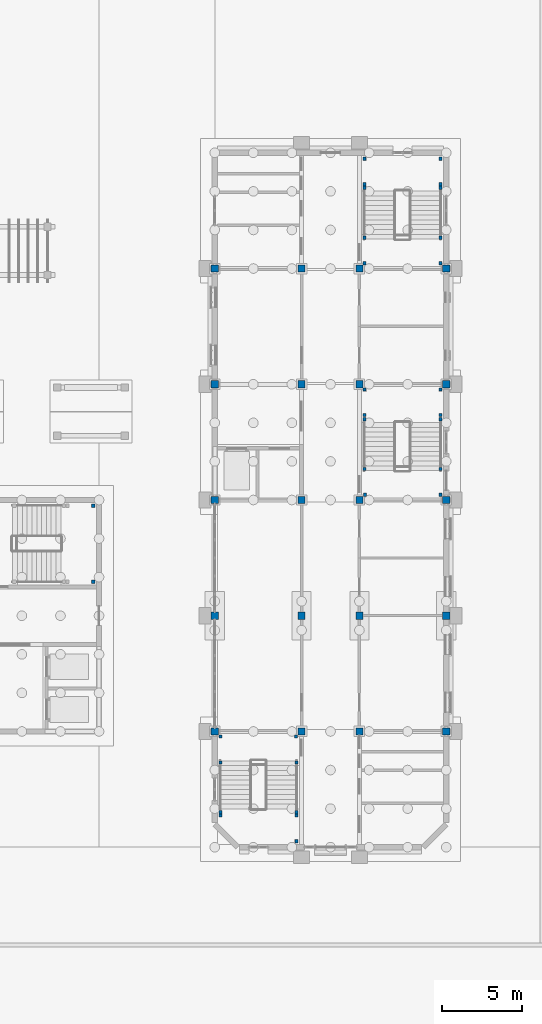
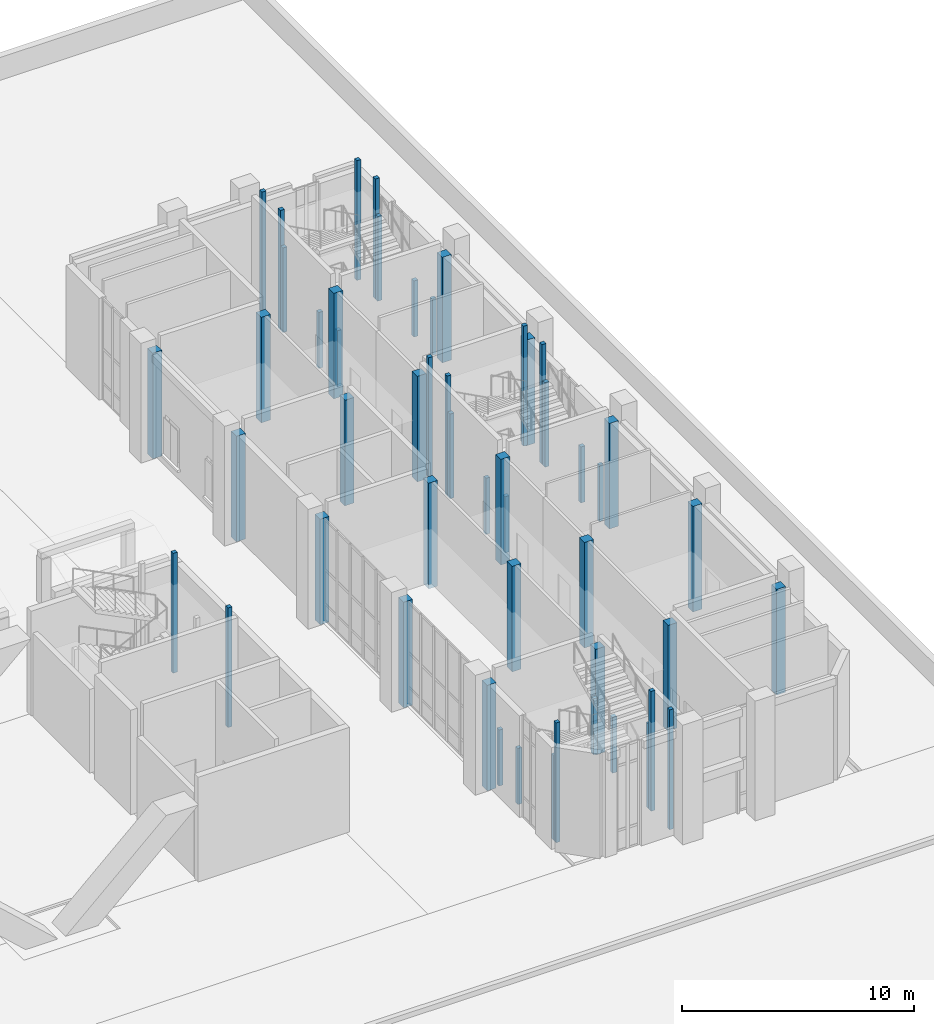
# One storey, part 7 of 84: 51 columns.
"""IFC4 building model written with IfcOpenShell, lengths in metres."""

from ifc_helpers import new_model, si_unit, direction, frame, origin, origin_2d, place, context, subcontext, project, spatial, rectangle, extrude, material, material_profile, profile_set, type_object, element, save


model = new_model("IFC4")

# Units and contexts
model_context = context("Model", 3, precision=1e-05, world=origin(), true_north=direction((0.0, 1.0)))
body_context = subcontext(model_context, "Body", "Model", "MODEL_VIEW")
ifc_project = project(units=[si_unit("LENGTHUNIT", "METRE"), si_unit("AREAUNIT", "SQUARE_METRE"), si_unit("VOLUMEUNIT", "CUBIC_METRE"), si_unit("PLANEANGLEUNIT", "RADIAN"), si_unit("MASSUNIT", "GRAM", prefix="KILO")], contexts=[model_context])

# Site, building, storey
site_placement = place(None, origin())
site = spatial("IfcSite", under=ifc_project, at=site_placement, CompositionType="ELEMENT")
building_placement = place(site_placement, origin())
building = spatial("IfcBuilding", under=site, at=building_placement, Name="Mazhai Court Health Centre", CompositionType="ELEMENT")
storey_placement = place(building_placement, origin())
storey = spatial("IfcBuildingStorey", under=building, at=storey_placement, Name="L00", CompositionType="ELEMENT", Elevation=0.0)

# Columns
ifc_material_1 = material(Name="Concrete M40", Category="concrete")
ifc_material_profile_1 = material_profile(ifc_material_1, rectangle(XDim=0.449951171875, YDim=0.449951171875, at=origin_2d()), Name="RC 450x450")
ifc_profile_set_1 = profile_set([ifc_material_profile_1], Name="Concrete M40")
column_type_1 = type_object("IfcColumnType", Name="RC COLUMN 450x450 M40", PredefinedType="COLUMN", material=ifc_profile_set_1)
for number, where, z_axis, x_axis, name in (
    (1, (135.800048828125, 13.39990234375, -0.199951171875), (0.0, 0.0, 1.0), (1.0, 0.0, 0.0), "col-V6-L00-135.8-13.4"),
    (2, (135.800048828125, 20.60009765625, -0.199951171875), (0.0, 0.0, 1.0), (1.0, 0.0, 0.0), "col-V6-L00-135.8-20.6"),
    (3, (135.800048828125, 27.800048828125, -0.199951171875), (0.0, 0.0, 1.0), (1.0, 0.0, 0.0), "col-V6-L00-135.8-27.8"),
    (4, (135.800048828125, 35.0, -0.199951171875), (0.0, 0.0, 1.0), (1.0, 0.0, 0.0), "col-V6-L00-135.8-35"),
    (5, (135.800048828125, 42.199951171875, -0.199951171875), (0.0, 0.0, 1.0), (1.0, 0.0, 0.0), "col-V6-L00-135.8-42.2"),
    (6, (141.199951171875, 13.39990234375, -0.199951171875), (0.0, 0.0, 1.0), (1.0, 0.0, 0.0), "col-V6-L00-141.2-13.4"),
    (7, (141.199951171875, 20.60009765625, -0.199951171875), (0.0, 0.0, 1.0), (1.0, 0.0, 0.0), "col-V6-L00-141.2-20.6"),
    (8, (141.199951171875, 27.800048828125, -0.199951171875), (0.0, 0.0, 1.0), (1.0, 0.0, 0.0), "col-V6-L00-141.2-27.8"),
    (9, (141.199951171875, 35.0, -0.199951171875), (0.0, 0.0, 1.0), (1.0, 0.0, 0.0), "col-V6-L00-141.2-35"),
    (10, (141.199951171875, 42.199951171875, -0.199951171875), (0.0, 0.0, 1.0), (1.0, 0.0, 0.0), "col-V6-L00-141.2-42.2"),
    (11, (144.800048828125, 13.39990234375, -0.199951171875), (0.0, 0.0, 1.0), (1.0, 0.0, 0.0), "col-V6-L00-144.8-13.4"),
    (12, (144.800048828125, 20.60009765625, -0.199951171875), (0.0, 0.0, 1.0), (1.0, 0.0, 0.0), "col-V6-L00-144.8-20.6"),
    (13, (144.800048828125, 27.800048828125, -0.199951171875), (0.0, 0.0, 1.0), (1.0, 0.0, 0.0), "col-V6-L00-144.8-27.8"),
    (14, (144.800048828125, 35.0, -0.199951171875), (0.0, 0.0, 1.0), (1.0, 0.0, 0.0), "col-V6-L00-144.8-35"),
    (15, (144.800048828125, 42.199951171875, -0.199951171875), (0.0, 0.0, 1.0), (1.0, 0.0, 0.0), "col-V6-L00-144.8-42.2"),
    (16, (150.199951171875, 13.39990234375, -0.199951171875), (0.0, 0.0, 1.0), (1.0, 0.0, 0.0), "col-V6-L00-150.2-13.4"),
    (17, (150.199951171875, 20.60009765625, -0.199951171875), (0.0, 0.0, 1.0), (1.0, 0.0, 0.0), "col-V6-L00-150.2-20.6"),
    (18, (150.199951171875, 27.800048828125, -0.199951171875), (0.0, 0.0, 1.0), (1.0, 0.0, 0.0), "col-V6-L00-150.2-27.8"),
    (19, (150.199951171875, 35.0, -0.199951171875), (0.0, 0.0, 1.0), (1.0, 0.0, 0.0), "col-V6-L00-150.2-35"),
    (20, (150.199951171875, 42.199951171875, -0.199951171875), (0.0, 0.0, 1.0), (1.0, 0.0, 0.0), "col-V6-L00-150.2-42.2"),
):
    element("IfcColumn", number, at=place(storey_placement, frame(where, z_axis=z_axis, x_axis=x_axis)), inside=storey, type_object=column_type_1, Name=name, PredefinedType="COLUMN", context=body_context, shape_type="SweptSolid", body=[
        extrude(rectangle(XDim=0.449951171875, YDim=0.449951171875, at=origin_2d()), origin(), (0.0, 0.0, 1.0), 5.550048828125),
    ])
ifc_material_2 = material(Name="Concrete M40", Category="concrete")
ifc_material_profile_2 = material_profile(ifc_material_2, rectangle(XDim=0.199951171875, YDim=0.199951171875, at=origin_2d()), Name="RC 200x200")
ifc_profile_set_2 = profile_set([ifc_material_profile_2], Name="Concrete M40")
column_type_2 = type_object("IfcColumnType", Name="RC STAIR LANDING POST 200 M40", PredefinedType="COLUMN", material=ifc_profile_set_2)
for number, where, z_axis, x_axis, name in (
    (21, (128.239990234375, 22.719970703125, 0.0), (0.0, 0.0, 1.0), (1.0, 0.0, 0.0), "post-ST7-03"),
    (22, (128.239990234375, 27.43994140625, 0.0), (0.0, 0.0, 1.0), (1.0, 0.0, 0.0), "post-ST7-07"),
):
    element("IfcColumn", number, at=place(storey_placement, frame(where, z_axis=z_axis, x_axis=x_axis)), inside=storey, type_object=column_type_2, Name=name, PredefinedType="COLUMN", context=body_context, shape_type="SweptSolid", body=[
        extrude(rectangle(XDim=0.199951171875, YDim=0.199951171875, at=origin_2d()), origin(), (0.0, 0.0, 1.0), 6.300048828125),
    ])
column_1_placement = place(storey_placement, frame((136.159912109375, 8.3798828125, 0.0), z_axis=(0.0, 0.0, 1.0), x_axis=(1.0, 0.0, 0.0)))
element("IfcColumn", 23, at=column_1_placement, inside=storey, type_object=column_type_2, Name="post-ST8-01", PredefinedType="COLUMN", context=body_context, shape_type="SweptSolid", body=[
    extrude(rectangle(XDim=0.199951171875, YDim=0.199951171875, at=origin_2d()), origin(), (0.0, 0.0, 1.0), 4.449951171875),
])
column_2_placement = place(storey_placement, frame((140.8798828125, 6.570068359375, 0.0), z_axis=(0.0, 0.0, 1.0), x_axis=(1.0, 0.0, 0.0)))
element("IfcColumn", 24, at=column_2_placement, inside=storey, type_object=column_type_2, Name="post-ST8-02", PredefinedType="COLUMN", context=body_context, shape_type="SweptSolid", body=[
    extrude(rectangle(XDim=0.199951171875, YDim=0.199951171875, at=origin_2d()), origin(), (0.0, 0.0, 1.0), 6.300048828125),
])
column_3_placement = place(storey_placement, frame((140.8798828125, 8.3798828125, 0.0), z_axis=(0.0, 0.0, 1.0), x_axis=(1.0, 0.0, 0.0)))
element("IfcColumn", 25, at=column_3_placement, inside=storey, type_object=column_type_2, Name="post-ST8-04", PredefinedType="COLUMN", context=body_context, shape_type="SweptSolid", body=[
    extrude(rectangle(XDim=0.199951171875, YDim=0.199951171875, at=origin_2d()), origin(), (0.0, 0.0, 1.0), 4.449951171875),
])
for number, where, z_axis, x_axis, name in (
    (26, (136.159912109375, 11.469970703125, 0.0), (0.0, 0.0, 1.0), (1.0, 0.0, 0.0), "post-ST8-05"),
    (27, (136.159912109375, 13.080078125, 0.0), (0.0, 0.0, 1.0), (1.0, 0.0, 0.0), "post-ST8-06"),
    (28, (140.8798828125, 11.469970703125, 0.0), (0.0, 0.0, 1.0), (1.0, 0.0, 0.0), "post-ST8-07"),
    (29, (140.85498046875, 13.080078125, 0.0), (0.0, 0.0, 1.0), (1.0, 0.0, 0.0), "post-ST8-08"),
):
    element("IfcColumn", number, at=place(storey_placement, frame(where, z_axis=z_axis, x_axis=x_axis)), inside=storey, type_object=column_type_2, Name=name, PredefinedType="COLUMN", context=body_context, shape_type="SweptSolid", body=[
        extrude(rectangle(XDim=0.199951171875, YDim=0.199951171875, at=origin_2d()), origin(), (0.0, 0.0, 1.0), 2.949951171875),
    ])
for number, where, z_axis, x_axis, name in (
    (30, (136.159912109375, 8.169921875, 0.0), (0.0, 0.0, 1.0), (1.0, 0.0, 0.0), "post-ST8-09"),
    (31, (140.8798828125, 8.169921875, 0.0), (0.0, 0.0, 1.0), (1.0, 0.0, 0.0), "post-ST8-11"),
):
    element("IfcColumn", number, at=place(storey_placement, frame(where, z_axis=z_axis, x_axis=x_axis)), inside=storey, type_object=column_type_2, Name=name, PredefinedType="COLUMN", context=body_context, shape_type="SweptSolid", body=[
        extrude(rectangle(XDim=0.199951171875, YDim=0.199951171875, at=origin_2d()), origin(), (0.0, 0.0, 1.0), 6.300048828125),
    ])
column_4_placement = place(storey_placement, frame((145.1201171875, 32.830078125, 0.0), z_axis=(0.0, 0.0, 1.0), x_axis=(1.0, 0.0, 0.0)))
element("IfcColumn", 32, at=column_4_placement, inside=storey, type_object=column_type_2, Name="post-ST9-01", PredefinedType="COLUMN", context=body_context, shape_type="SweptSolid", body=[
    extrude(rectangle(XDim=0.199951171875, YDim=0.199951171875, at=origin_2d()), origin(), (0.0, 0.0, 1.0), 4.449951171875),
])
column_5_placement = place(storey_placement, frame((145.1201171875, 34.669921875, 0.0), z_axis=(0.0, 0.0, 1.0), x_axis=(1.0, 0.0, 0.0)))
element("IfcColumn", 33, at=column_5_placement, inside=storey, type_object=column_type_2, Name="post-ST9-02", PredefinedType="COLUMN", context=body_context, shape_type="SweptSolid", body=[
    extrude(rectangle(XDim=0.199951171875, YDim=0.199951171875, at=origin_2d()), origin(), (0.0, 0.0, 1.0), 6.300048828125),
])
column_6_placement = place(storey_placement, frame((149.840087890625, 32.830078125, 0.0), z_axis=(0.0, 0.0, 1.0), x_axis=(1.0, 0.0, 0.0)))
element("IfcColumn", 34, at=column_6_placement, inside=storey, type_object=column_type_2, Name="post-ST9-04", PredefinedType="COLUMN", context=body_context, shape_type="SweptSolid", body=[
    extrude(rectangle(XDim=0.199951171875, YDim=0.199951171875, at=origin_2d()), origin(), (0.0, 0.0, 1.0), 4.449951171875),
])
column_7_placement = place(storey_placement, frame((149.840087890625, 34.669921875, 0.0), z_axis=(0.0, 0.0, 1.0), x_axis=(1.0, 0.0, 0.0)))
element("IfcColumn", 35, at=column_7_placement, inside=storey, type_object=column_type_2, Name="post-ST9-05", PredefinedType="COLUMN", context=body_context, shape_type="SweptSolid", body=[
    extrude(rectangle(XDim=0.199951171875, YDim=0.199951171875, at=origin_2d()), origin(), (0.0, 0.0, 1.0), 6.300048828125),
])
for number, where, z_axis, x_axis, name in (
    (36, (145.14501953125, 28.1201171875, 0.0), (0.0, 0.0, 1.0), (1.0, 0.0, 0.0), "post-ST9-07"),
    (37, (145.1201171875, 29.72998046875, 0.0), (0.0, 0.0, 1.0), (1.0, 0.0, 0.0), "post-ST9-08"),
    (38, (149.840087890625, 28.1201171875, 0.0), (0.0, 0.0, 1.0), (1.0, 0.0, 0.0), "post-ST9-09"),
    (39, (149.840087890625, 29.72998046875, 0.0), (0.0, 0.0, 1.0), (1.0, 0.0, 0.0), "post-ST9-10"),
):
    element("IfcColumn", number, at=place(storey_placement, frame(where, z_axis=z_axis, x_axis=x_axis)), inside=storey, type_object=column_type_2, Name=name, PredefinedType="COLUMN", context=body_context, shape_type="SweptSolid", body=[
        extrude(rectangle(XDim=0.199951171875, YDim=0.199951171875, at=origin_2d()), origin(), (0.0, 0.0, 1.0), 2.949951171875),
    ])
for number, where, z_axis, x_axis, name in (
    (40, (145.1201171875, 33.080078125, 0.0), (0.0, 0.0, 1.0), (1.0, 0.0, 0.0), "post-ST9-11"),
    (41, (149.840087890625, 33.080078125, 0.0), (0.0, 0.0, 1.0), (1.0, 0.0, 0.0), "post-ST9-13"),
):
    element("IfcColumn", number, at=place(storey_placement, frame(where, z_axis=z_axis, x_axis=x_axis)), inside=storey, type_object=column_type_2, Name=name, PredefinedType="COLUMN", context=body_context, shape_type="SweptSolid", body=[
        extrude(rectangle(XDim=0.199951171875, YDim=0.199951171875, at=origin_2d()), origin(), (0.0, 0.0, 1.0), 6.300048828125),
    ])
column_8_placement = place(storey_placement, frame((145.1201171875, 47.22998046875, 0.0), z_axis=(0.0, 0.0, 1.0), x_axis=(1.0, 0.0, 0.0)))
element("IfcColumn", 42, at=column_8_placement, inside=storey, type_object=column_type_2, Name="post-ST10-01", PredefinedType="COLUMN", context=body_context, shape_type="SweptSolid", body=[
    extrude(rectangle(XDim=0.199951171875, YDim=0.199951171875, at=origin_2d()), origin(), (0.0, 0.0, 1.0), 4.449951171875),
])
column_9_placement = place(storey_placement, frame((145.1201171875, 49.030029296875, 0.0), z_axis=(0.0, 0.0, 1.0), x_axis=(1.0, 0.0, 0.0)))
element("IfcColumn", 43, at=column_9_placement, inside=storey, type_object=column_type_2, Name="post-ST10-02", PredefinedType="COLUMN", context=body_context, shape_type="SweptSolid", body=[
    extrude(rectangle(XDim=0.199951171875, YDim=0.199951171875, at=origin_2d()), origin(), (0.0, 0.0, 1.0), 6.300048828125),
])
column_10_placement = place(storey_placement, frame((149.840087890625, 47.22998046875, 0.0), z_axis=(0.0, 0.0, 1.0), x_axis=(1.0, 0.0, 0.0)))
element("IfcColumn", 44, at=column_10_placement, inside=storey, type_object=column_type_2, Name="post-ST10-04", PredefinedType="COLUMN", context=body_context, shape_type="SweptSolid", body=[
    extrude(rectangle(XDim=0.199951171875, YDim=0.199951171875, at=origin_2d()), origin(), (0.0, 0.0, 1.0), 4.449951171875),
])
column_11_placement = place(storey_placement, frame((149.840087890625, 49.030029296875, 0.0), z_axis=(0.0, 0.0, 1.0), x_axis=(1.0, 0.0, 0.0)))
element("IfcColumn", 45, at=column_11_placement, inside=storey, type_object=column_type_2, Name="post-ST10-05", PredefinedType="COLUMN", context=body_context, shape_type="SweptSolid", body=[
    extrude(rectangle(XDim=0.199951171875, YDim=0.199951171875, at=origin_2d()), origin(), (0.0, 0.0, 1.0), 6.300048828125),
])
for number, where, z_axis, x_axis, name in (
    (46, (145.1201171875, 42.530029296875, 0.0), (0.0, 0.0, 1.0), (1.0, 0.0, 0.0), "post-ST10-07"),
    (47, (145.1201171875, 44.1201171875, 0.0), (0.0, 0.0, 1.0), (1.0, 0.0, 0.0), "post-ST10-08"),
    (48, (149.840087890625, 42.530029296875, 0.0), (0.0, 0.0, 1.0), (1.0, 0.0, 0.0), "post-ST10-09"),
    (49, (149.840087890625, 44.1201171875, 0.0), (0.0, 0.0, 1.0), (1.0, 0.0, 0.0), "post-ST10-10"),
):
    element("IfcColumn", number, at=place(storey_placement, frame(where, z_axis=z_axis, x_axis=x_axis)), inside=storey, type_object=column_type_2, Name=name, PredefinedType="COLUMN", context=body_context, shape_type="SweptSolid", body=[
        extrude(rectangle(XDim=0.199951171875, YDim=0.199951171875, at=origin_2d()), origin(), (0.0, 0.0, 1.0), 2.949951171875),
    ])
for number, where, z_axis, x_axis, name in (
    (50, (145.1201171875, 47.43994140625, 0.0), (0.0, 0.0, 1.0), (1.0, 0.0, 0.0), "post-ST10-11"),
    (51, (149.840087890625, 47.43994140625, 0.0), (0.0, 0.0, 1.0), (1.0, 0.0, 0.0), "post-ST10-13"),
):
    element("IfcColumn", number, at=place(storey_placement, frame(where, z_axis=z_axis, x_axis=x_axis)), inside=storey, type_object=column_type_2, Name=name, PredefinedType="COLUMN", context=body_context, shape_type="SweptSolid", body=[
        extrude(rectangle(XDim=0.199951171875, YDim=0.199951171875, at=origin_2d()), origin(), (0.0, 0.0, 1.0), 6.300048828125),
    ])

save(model, "model.ifc")
